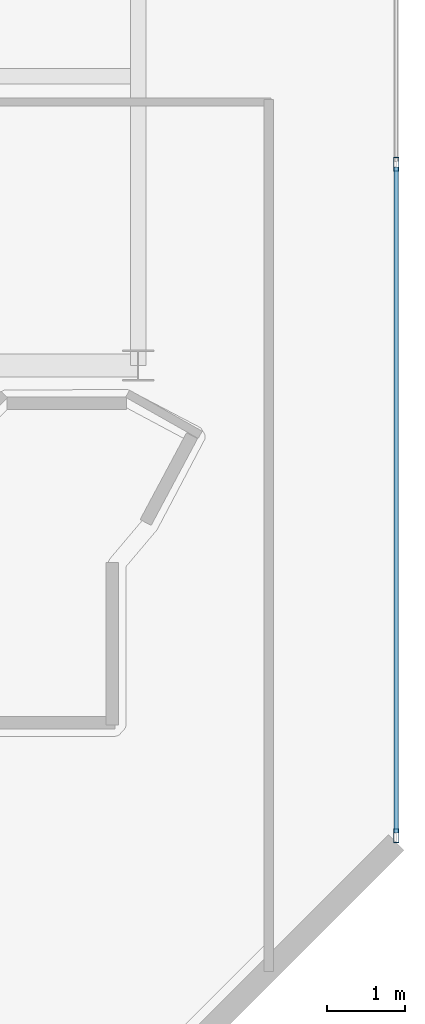
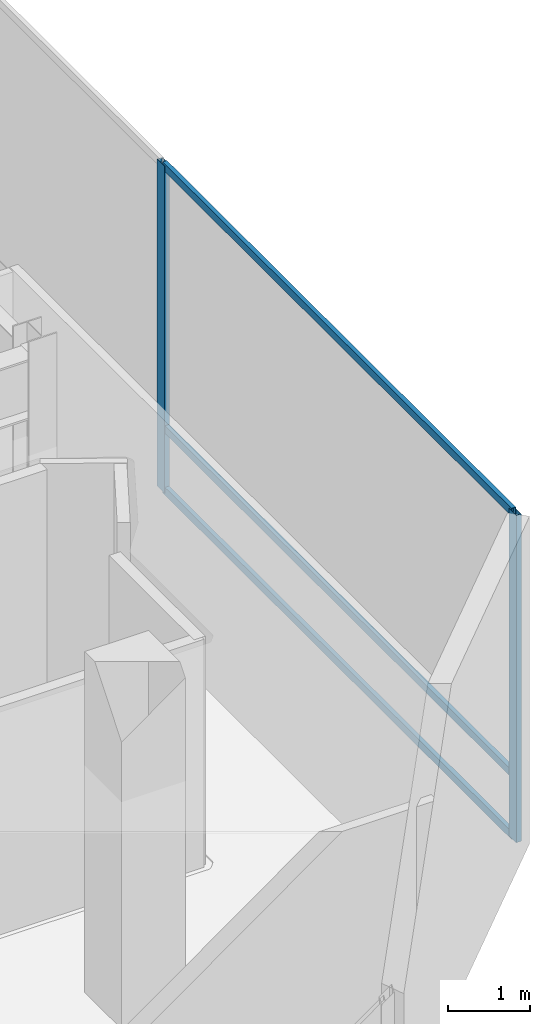
# One storey, part 25 of 40: 5 members, 1 element without a shape of its own.
"""IFC4 building model written with IfcOpenShell, lengths in metres."""

import ifcopenshell
import ifcopenshell.guid

model = None  # the IFC model being written
_history = None  # IfcOwnerHistory: only IFC2X3 demands one
_inside = {}  # id of a spatial element -> (the spatial element, [elements in it])
_under = {}  # id of a project, library or spatial element -> (it, [spatial elements below it])
_declared = {}  # id of a project -> (the project, [libraries it declares])
_typed = {}  # id of a type object -> (the type object, [elements of that type])
_made_of = {}  # id of a material, layer set ... -> (it, [elements and type objects made of it])


def new_model(schema):
    """Start an empty IFC model of exactly this schema.

    Asked for "IFC4X3", IfcOpenShell would pick the latest addendum, in which some entities
    have other attributes; the version numbers below select the first issue.
    IFC2X3 requires an IfcOwnerHistory on every rooted entity: one is made here for all.
    """
    global model, _history
    if schema == "IFC4X3":
        model = ifcopenshell.file(schema_version=(4, 3, 0, 0))
    else:
        model = ifcopenshell.file(schema=schema)
    _inside.clear()
    _under.clear()
    _declared.clear()
    _typed.clear()
    _made_of.clear()
    _history = None
    if model.schema == "IFC2X3":
        org = make("IfcOrganization", Name="unknown")
        user = make(
            "IfcPersonAndOrganization",
            ThePerson=make("IfcPerson", FamilyName="unknown"),
            TheOrganization=org,
        )
        app = make(
            "IfcApplication",
            ApplicationDeveloper=org,
            Version="unknown",
            ApplicationFullName="unknown",
            ApplicationIdentifier="unknown",
        )
        _history = make(
            "IfcOwnerHistory",
            OwningUser=user,
            OwningApplication=app,
            ChangeAction="ADDED",
            CreationDate=0,
        )
    return model


def make(cls, **values):
    """One entity of the class cls with the attributes given. An attribute that is None is left unset."""
    return model.create_entity(
        cls, **{name: value for name, value in values.items() if value is not None}
    )


def rooted(cls, **values):
    """An entity with a GlobalId (a new one), such as an element, a storey or a relation."""
    return make(cls, GlobalId=ifcopenshell.guid.new(), OwnerHistory=_history, **values)


def si_unit(unit_type, name, prefix=None):
    """IfcSIUnit, for example si_unit("LENGTHUNIT", "METRE", prefix="MILLI")."""
    return make("IfcSIUnit", UnitType=unit_type, Prefix=prefix, Name=name)


def assignment(units):
    """IfcUnitAssignment: the units of a project."""
    return None if units is None else make("IfcUnitAssignment", Units=units)


def point(xyz):
    """IfcCartesianPoint."""
    return None if xyz is None else make("IfcCartesianPoint", Coordinates=xyz)


def direction(xyz):
    """IfcDirection."""
    return None if xyz is None else make("IfcDirection", DirectionRatios=xyz)


def frame(location, z_axis=None, x_axis=None):
    """IfcAxis2Placement3D, a coordinate frame: its origin and axes. An axis left out is left unset."""
    return make(
        "IfcAxis2Placement3D",
        Location=point(location),
        Axis=direction(z_axis),
        RefDirection=direction(x_axis),
    )


def frame_2d(location, x_axis=None):
    """IfcAxis2Placement2D, a coordinate frame in the plane: its origin and x axis."""
    return make(
        "IfcAxis2Placement2D", Location=point(location), RefDirection=direction(x_axis)
    )


def origin():
    """The frame at (0, 0, 0) with its axes left unset."""
    return frame((0.0, 0.0, 0.0))


def origin_2d():
    """The frame at (0, 0) in the plane with its x axis left unset."""
    return frame_2d((0.0, 0.0))


def place(relative_to, where):
    """IfcLocalPlacement: puts the frame where relative to a parent placement (None: the world)."""
    return make(
        "IfcLocalPlacement", PlacementRelTo=relative_to, RelativePlacement=where
    )


def context(
    kind, dimensions, precision=None, world=None, true_north=None, identifier=None
):
    """IfcGeometricRepresentationContext, for example the 3D "Model" context."""
    return make(
        "IfcGeometricRepresentationContext",
        ContextIdentifier=identifier,
        ContextType=kind,
        CoordinateSpaceDimension=dimensions,
        Precision=precision,
        WorldCoordinateSystem=world,
        TrueNorth=true_north,
    )


def subcontext(parent, identifier, kind, view, scale=None):
    """IfcGeometricRepresentationSubContext, for example "Body" below "Model"."""
    return make(
        "IfcGeometricRepresentationSubContext",
        ContextIdentifier=identifier,
        ContextType=kind,
        ParentContext=parent,
        TargetScale=scale,
        TargetView=view,
    )


def project(units=None, contexts=None):
    """IfcProject with its units and contexts."""
    return rooted(
        "IfcProject",
        Name="project",
        RepresentationContexts=contexts,
        UnitsInContext=assignment(units),
    )


def spatial(cls, under=None, at=None, **own):
    """A site, building, storey or space (cls), placed at a placement, below another one or the project."""
    s = rooted(cls, ObjectPlacement=at, **own)
    if under is not None:
        _under.setdefault(under.id(), (under, []))[1].append(s)
    return s


def profile(cls, at=None, kind="AREA", **sizes):
    """A parametric profile (cls). Its sizes go by their IFC names, for example OverallWidth=200.0."""
    return make(cls, ProfileType=kind, Position=at, **sizes)


def hollow_rectangle(**sizes):
    """IfcRectangleHollowProfileDef."""
    return profile("IfcRectangleHollowProfileDef", **sizes)


def extrude(swept, where, along, depth):
    """IfcExtrudedAreaSolid: the profile swept, set in the frame where, extruded along a direction by depth."""
    return make(
        "IfcExtrudedAreaSolid",
        SweptArea=swept,
        Position=where,
        ExtrudedDirection=direction(along),
        Depth=depth,
    )


def shape(context_of_items, identifier, shape_type, items):
    """IfcShapeRepresentation: the items that make up one representation, for example the "Body"."""
    return make(
        "IfcShapeRepresentation",
        ContextOfItems=context_of_items,
        RepresentationIdentifier=identifier,
        RepresentationType=shape_type,
        Items=items,
    )


def material(Name=None, Category=None):
    """IfcMaterial."""
    return make("IfcMaterial", Name=Name, Category=Category)


def layer(
    of_material, thickness, ventilated=None, Name=None, Category=None, Priority=None
):
    """IfcMaterialLayer: one layer of a wall or slab, of a material (None: an air gap)."""
    return make(
        "IfcMaterialLayer",
        Material=of_material,
        LayerThickness=thickness,
        IsVentilated=ventilated,
        Name=Name,
        Category=Category,
        Priority=Priority,
    )


def layer_set(layers, Name=None):
    """IfcMaterialLayerSet."""
    return make("IfcMaterialLayerSet", MaterialLayers=layers, LayerSetName=Name)


def material_profile(
    of_material, cross_section, Name=None, Category=None, Priority=None
):
    """IfcMaterialProfile: a cross section and its material."""
    return make(
        "IfcMaterialProfile",
        Name=Name,
        Material=of_material,
        Profile=cross_section,
        Priority=Priority,
        Category=Category,
    )


def profile_set(profiles, Name=None, composite=None):
    """IfcMaterialProfileSet."""
    return make(
        "IfcMaterialProfileSet",
        Name=Name,
        MaterialProfiles=profiles,
        CompositeProfile=composite,
    )


def made_of(thing, what):
    """Note that an element or type object is made of a material, layer set ...; save() writes the relation."""
    if what is not None:
        _made_of.setdefault(what.id(), (what, []))[1].append(thing)
    return thing


def type_object(cls, material=None, **own):
    """A type object (cls), such as IfcWallType, which elements share."""
    return made_of(rooted(cls, **own), material)


def element(
    cls,
    number,
    at=None,
    inside=None,
    cuts=None,
    type_object=None,
    material=None,
    context=None,
    identifier="Body",
    shape_type=None,
    held_by="IfcProductDefinitionShape",
    body=None,
    shapes=None,
    **own,
):
    """One element of the class cls, such as IfcWall. Its Tag is "e" and its number.

    at: its placement. inside: the storey or other place that contains it. cuts: it is an
    opening in that element (IfcRelVoidsElement). A single representation is given by context,
    identifier, shape_type and body (its items); several are given by shapes. held_by: the class
    of the entity that holds the representations. save() writes the other relations.
    """
    e = rooted(cls, Tag="e%d" % number, ObjectPlacement=at, **own)
    if body is not None:
        shapes = [shape(context, identifier, shape_type, body)]
    if shapes is not None:
        e.Representation = make(held_by, Representations=shapes)
    if inside is not None:
        _inside.setdefault(inside.id(), (inside, []))[1].append(e)
    if cuts is not None:
        rooted(
            "IfcRelVoidsElement", RelatingBuildingElement=cuts, RelatedOpeningElement=e
        )
    if type_object is not None:
        _typed.setdefault(type_object.id(), (type_object, []))[1].append(e)
    return made_of(e, material)


def aggregate(whole, parts):
    """IfcRelAggregates: a whole, such as a stair, and the parts it consists of."""
    return rooted("IfcRelAggregates", RelatingObject=whole, RelatedObjects=parts)


def save(model, path):
    """Write the relations noted so far, then the file.

    IfcRelAggregates (storeys below a building ...), IfcRelContainedInSpatialStructure (elements
    in a storey), IfcRelDefinesByType, IfcRelAssociatesMaterial and IfcRelDeclares: one each for
    every whole, place, type object, material and project.
    """
    for whole, parts in _under.values():
        aggregate(whole, parts)
    for where, things in _inside.values():
        rooted(
            "IfcRelContainedInSpatialStructure",
            RelatedElements=things,
            RelatingStructure=where,
        )
    for kind, things in _typed.values():
        rooted("IfcRelDefinesByType", RelatedObjects=things, RelatingType=kind)
    for what, things in _made_of.values():
        rooted("IfcRelAssociatesMaterial", RelatedObjects=things, RelatingMaterial=what)
    for by, libraries in _declared.values():
        rooted("IfcRelDeclares", RelatingContext=by, RelatedDefinitions=libraries)
    model.write(path)


model = new_model("IFC4")

# Units and contexts
model_context = context("Model", 3, precision=1e-05, world=origin(), true_north=direction((0.0, 1.0)))
body_context = subcontext(model_context, "Body", "Model", "MODEL_VIEW")
ifc_project = project(units=[si_unit("LENGTHUNIT", "METRE"), si_unit("AREAUNIT", "SQUARE_METRE"), si_unit("VOLUMEUNIT", "CUBIC_METRE"), si_unit("PLANEANGLEUNIT", "RADIAN"), si_unit("MASSUNIT", "GRAM", prefix="KILO")], contexts=[model_context])

# Site, building, storey
site_placement = place(None, origin())
site = spatial("IfcSite", under=ifc_project, at=site_placement, CompositionType="ELEMENT")
building_placement = place(site_placement, origin())
building = spatial("IfcBuilding", under=site, at=building_placement, Name="Qianvela Tower", CompositionType="ELEMENT")
storey_placement = place(building_placement, frame((0.0, 0.0, 20.60009765625)))
storey = spatial("IfcBuildingStorey", under=building, at=storey_placement, Name="L04", CompositionType="ELEMENT", Elevation=20.60009765625)

# Curtain wall, members
ifc_material_1 = material(Name="Anodised Architectural Aluminium and Low-E Glass", Category="aluminium")
ifc_layer = layer(ifc_material_1, 0.179931640625)
ifc_layer_set = layer_set([ifc_layer], Name="Anodised Architectural Aluminium and Low-E Glass")
curtain_wall_type = type_object("IfcCurtainWallType", Name="CW-COMMONS", PredefinedType="USERDEFINED", material=ifc_layer_set)
curtain_wall_placement = place(storey_placement, origin())
curtain_wall = element("IfcCurtainWall", 1, at=curtain_wall_placement, inside=storey, type_object=curtain_wall_type, Name="L04 CW-COMMONS Curtain Wall 03", ObjectType="CURTAIN_WALL_SYSTEM", PredefinedType="USERDEFINED")
ifc_material_2 = material(Name="Anodised Architectural Aluminium 6063-T6", Category="aluminium")
ifc_material_profile_1 = material_profile(ifc_material_2, hollow_rectangle(XDim=0.070068359375, YDim=0.179931640625, WallThickness=0.0048828125, at=origin_2d()), Name="ALU-MULL-70x180")
ifc_profile_set_1 = profile_set([ifc_material_profile_1], Name="Anodised Architectural Aluminium 6063-T6")
member_type_1 = type_object("IfcMemberType", Name="CW-COMMONS-MULL", PredefinedType="MULLION", material=ifc_profile_set_1)
member_1_placement = place(storey_placement, frame((70.800048828125, 8.784912109375, 0.0), z_axis=(0.0, 0.0, 1.0), x_axis=(-1.0, 0.0, 0.0)))
member_1 = element("IfcMember", 2, at=member_1_placement, type_object=member_type_1, Name="CW-2 mullion 1", PredefinedType="MULLION", context=body_context, shape_type="SweptSolid", body=[
    extrude(hollow_rectangle(XDim=0.070068359375, YDim=0.179931640625, WallThickness=0.0048828125, at=origin_2d()), origin(), (0.0, 0.0, 1.0), 4.8798828125),
])
member_2_placement = place(storey_placement, frame((70.800048828125, 17.375, 0.0), z_axis=(0.0, 0.0, 1.0), x_axis=(-1.0, 0.0, 0.0)))
member_2 = element("IfcMember", 3, at=member_2_placement, type_object=member_type_1, Name="CW-2 mullion 2", PredefinedType="MULLION", context=body_context, shape_type="SweptSolid", body=[
    extrude(hollow_rectangle(XDim=0.070068359375, YDim=0.179931640625, WallThickness=0.0048828125, at=origin_2d()), origin(), (0.0, 0.0, 1.0), 4.8798828125),
])
ifc_material_3 = material(Name="Anodised Architectural Aluminium 6063-T6", Category="aluminium")
ifc_material_profile_2 = material_profile(ifc_material_3, hollow_rectangle(XDim=0.06005859375, YDim=0.114990234375, WallThickness=0.00390625, at=origin_2d()), Name="ALU-TRAN-60x115")
ifc_profile_set_2 = profile_set([ifc_material_profile_2], Name="Anodised Architectural Aluminium 6063-T6")
member_type_2 = type_object("IfcMemberType", Name="CW-COMMONS-TRAN", PredefinedType="USERDEFINED", material=ifc_profile_set_2)
member_3_placement = place(storey_placement, frame((70.800048828125, 8.820068359375, 0.02978515625), z_axis=(0.0, 1.0, 0.0), x_axis=(-1.0, 0.0, 0.0)))
member_3 = element("IfcMember", 4, at=member_3_placement, type_object=member_type_2, Name="CW-2 transom 1.1", ObjectType="TRANSOM", PredefinedType="USERDEFINED", context=body_context, shape_type="SweptSolid", body=[
    extrude(hollow_rectangle(XDim=0.06005859375, YDim=0.114990234375, WallThickness=0.00390625, at=origin_2d()), origin(), (0.0, 0.0, 1.0), 8.52001953125),
])
member_4_placement = place(storey_placement, frame((70.800048828125, 8.820068359375, 0.949951171875), z_axis=(0.0, 1.0, 0.0), x_axis=(-1.0, 0.0, 0.0)))
member_4 = element("IfcMember", 5, at=member_4_placement, type_object=member_type_2, Name="CW-2 transom 1.2", ObjectType="TRANSOM", PredefinedType="USERDEFINED", context=body_context, shape_type="SweptSolid", body=[
    extrude(hollow_rectangle(XDim=0.06005859375, YDim=0.114990234375, WallThickness=0.00390625, at=origin_2d()), origin(), (0.0, 0.0, 1.0), 8.52001953125),
])
member_5_placement = place(storey_placement, frame((70.800048828125, 8.820068359375, 4.849853515625), z_axis=(0.0, 1.0, 0.0), x_axis=(-1.0, 0.0, 0.0)))
member_5 = element("IfcMember", 6, at=member_5_placement, type_object=member_type_2, Name="CW-2 transom 1.3", ObjectType="TRANSOM", PredefinedType="USERDEFINED", context=body_context, shape_type="SweptSolid", body=[
    extrude(hollow_rectangle(XDim=0.06005859375, YDim=0.114990234375, WallThickness=0.00390625, at=origin_2d()), origin(), (0.0, 0.0, 1.0), 8.52001953125),
])
aggregate(curtain_wall, [member_1, member_2, member_3, member_4, member_5])

save(model, "model.ifc")
